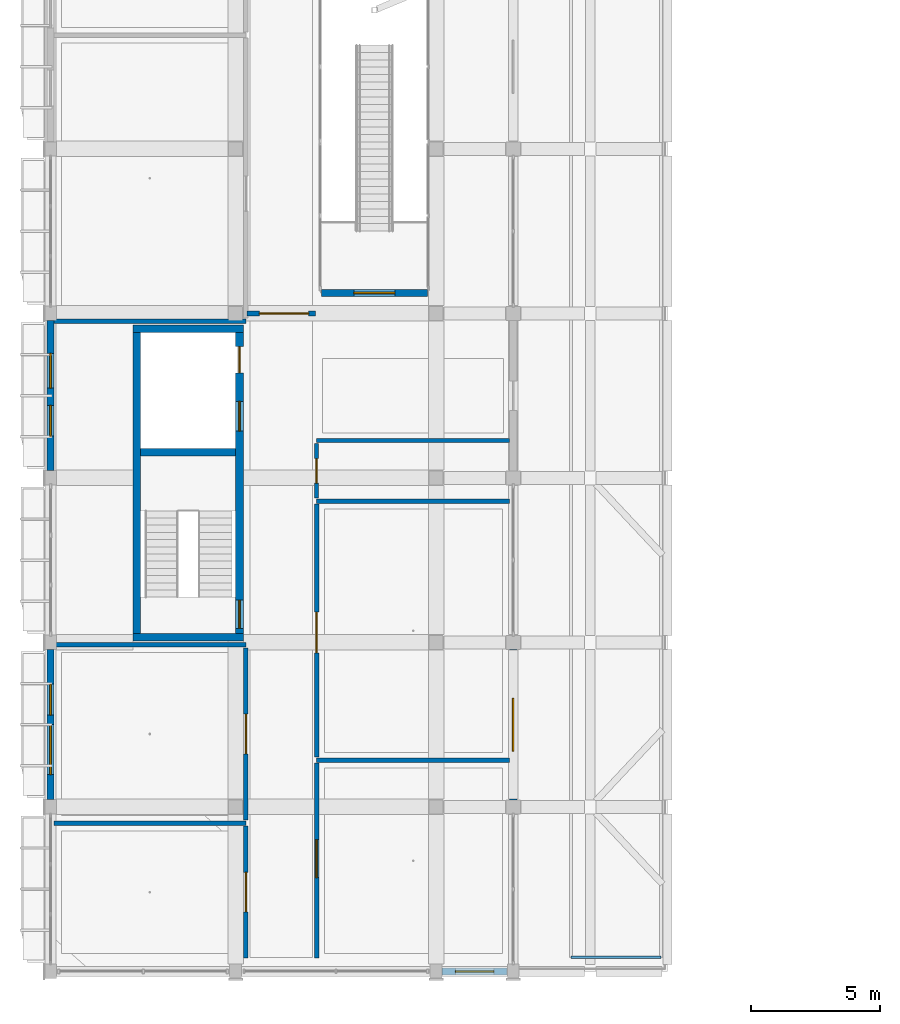
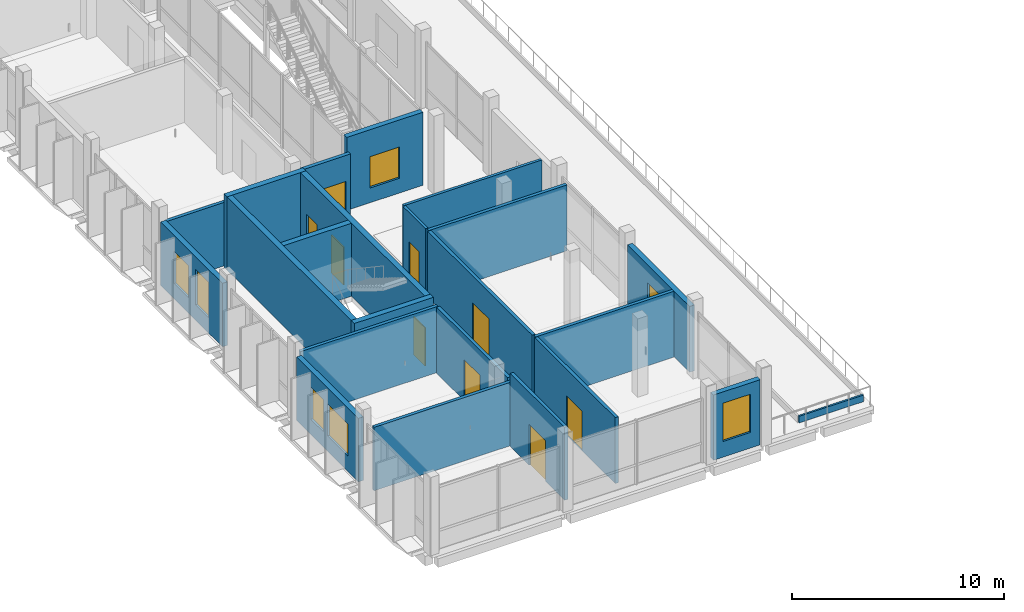
# One storey, part 56 of 95: 23 walls, 9 doors, 7 windows, 16 openings.
"""IFC4 building model written with IfcOpenShell, lengths in metres."""

from ifc_helpers import new_model, si_unit, derived_unit, direction, frame, frame_2d, origin, origin_with_axes, place, context, subcontext, project, spatial, rectangle, extrude, material, layer, layer_set, type_object, element, fill, save


model = new_model("IFC4")

# Units and contexts
model_context = context("Model", 3, precision=1e-05, world=origin(), true_north=direction((0.0, 1.0)))
body_context = subcontext(model_context, "Body", "Model", "MODEL_VIEW")
ifc_project = project(units=[si_unit("LENGTHUNIT", "METRE"), si_unit("AREAUNIT", "SQUARE_METRE"), si_unit("VOLUMEUNIT", "CUBIC_METRE"), si_unit("PLANEANGLEUNIT", "RADIAN"), si_unit("MASSUNIT", "GRAM", prefix="KILO"), derived_unit("THERMALTRANSMITTANCEUNIT", [(si_unit("POWERUNIT", "WATT"), 1), (si_unit("LENGTHUNIT", "METRE"), -2), (si_unit("THERMODYNAMICTEMPERATUREUNIT", "KELVIN"), -1)])], contexts=[model_context])

# Site, building, storey
site_placement = place(None, origin())
site = spatial("IfcSite", under=ifc_project, at=site_placement, CompositionType="ELEMENT")
building_placement = place(site_placement, origin())
building = spatial("IfcBuilding", under=site, at=building_placement, Name="Braskholm Square Health Centre", CompositionType="ELEMENT")
storey_placement = place(building_placement, frame((0.0, 0.0, 4.800048828125)))
storey = spatial("IfcBuildingStorey", under=building, at=storey_placement, Name="L02", CompositionType="ELEMENT", Elevation=4.800048828125)

# Wall, opening, door
ifc_material_1 = material(Name="Fire-rated gypsum board barrier")
ifc_layer_1 = layer(ifc_material_1, 0.175048828125)
ifc_layer_set_1 = layer_set([ifc_layer_1], Name="Fire-rated gypsum board barrier")
wall_type_1 = type_object("IfcWallType", Name="AmbulatoryFirePartition175", PredefinedType="PARTITIONING", material=ifc_layer_set_1)
wall_1_placement = place(storey_placement, frame((11.800048828125, 4.719970703125, 0.0), z_axis=(0.0, 0.0, 1.0), x_axis=(0.0, 1.0, 0.0)))
wall_1 = element("IfcWall", 1, at=wall_1_placement, inside=storey, type_object=wall_type_1, Name="Interior partition PWALL-L02-0073", PredefinedType="PARTITIONING", context=body_context, shape_type="SweptSolid", body=[
    extrude(rectangle(XDim=5.130126953125, YDim=0.175048828125, at=frame_2d((2.56494140625, 0.0))), origin(), (0.0, 0.0, 1.0), 4.195068359375),
])
opening_1_placement = place(wall_1_placement, frame((1.794921875, 0.0, 0.0)))
opening_1 = element("IfcOpeningElement", 2, at=opening_1_placement, cuts=wall_1, Name="Opening D-15", PredefinedType="OPENING", context=body_context, shape_type="SweptSolid", body=[
    extrude(rectangle(XDim=1.5400390625, YDim=2.35009765625, at=frame_2d((0.77001953125, 1.175048828125))), frame((0.0, 0.09765625, 0.0), z_axis=(0.0, -1.0, 0.0), x_axis=(1.0, 0.0, 0.0)), (0.0, 0.0, 1.0), 0.195068359375),
])
ifc_material_2 = material(Name="Architectural bronze anodised aluminium", Category="aluminium")
door_type_1 = type_object("IfcDoorType", Name="DoorOperatingRoomPair1540x2350", OperationType="DOUBLE_DOOR_SINGLE_SWING", PredefinedType="DOOR", material=ifc_material_2)
door_1_placement = place(opening_1_placement, origin_with_axes())
door_1 = element("IfcDoor", 3, at=door_1_placement, inside=storey, type_object=door_type_1, Name="Interior door 0033 L02", OperationType="DOUBLE_DOOR_SINGLE_SWING", OverallHeight=2.35009765625, OverallWidth=1.5400390625, PredefinedType="DOOR", context=body_context, shape_type="SweptSolid", body=[
    extrude(rectangle(XDim=1.5400390625, YDim=2.35009765625, at=frame_2d((0.77001953125, 1.175048828125))), frame((0.0, 0.02490234375, 0.0), z_axis=(0.0, -1.0, 0.0), x_axis=(1.0, 0.0, 0.0)), (0.0, 0.0, 1.0), 0.050048828125),
])
fill(opening_1, door_1)

# Wall
wall_2_placement = place(storey_placement, frame((4.340087890625, 9.969970703125, 0.0), z_axis=(0.0, 0.0, 1.0), x_axis=(1.0, 0.0, 0.0)))
element("IfcWall", 4, at=wall_2_placement, inside=storey, type_object=wall_type_1, Name="Interior partition PWALL-L02-0074", PredefinedType="PARTITIONING", context=body_context, shape_type="SweptSolid", body=[
    extrude(rectangle(XDim=7.4599609375, YDim=0.175048828125, at=frame_2d((3.72998046875, 0.0))), origin(), (0.0, 0.0, 1.0), 3.64501953125),
])

# Wall, opening, door
wall_3_placement = place(storey_placement, frame((11.800048828125, 10.090087890625, 0.0), z_axis=(0.0, 0.0, 1.0), x_axis=(0.0, 1.0, 0.0)))
wall_3 = element("IfcWall", 5, at=wall_3_placement, inside=storey, type_object=wall_type_1, Name="Interior partition PWALL-L02-0075", PredefinedType="PARTITIONING", context=body_context, shape_type="SweptSolid", body=[
    extrude(rectangle(XDim=6.68994140625, YDim=0.175048828125, at=frame_2d((3.344970703125, 0.0))), origin(), (0.0, 0.0, 1.0), 3.794921875),
])
opening_2_placement = place(wall_3_placement, frame((2.574951171875, 0.0, 0.0)))
opening_2 = element("IfcOpeningElement", 6, at=opening_2_placement, cuts=wall_3, Name="Opening D-15", PredefinedType="OPENING", context=body_context, shape_type="SweptSolid", body=[
    extrude(rectangle(XDim=1.5400390625, YDim=2.35009765625, at=frame_2d((0.77001953125, 1.175048828125))), frame((0.0, 0.09765625, 0.0), z_axis=(0.0, -1.0, 0.0), x_axis=(1.0, 0.0, 0.0)), (0.0, 0.0, 1.0), 0.195068359375),
])
door_2_placement = place(opening_2_placement, origin_with_axes())
door_2 = element("IfcDoor", 7, at=door_2_placement, inside=storey, type_object=door_type_1, Name="Interior door 0034 L02", OperationType="DOUBLE_DOOR_SINGLE_SWING", OverallHeight=2.35009765625, OverallWidth=1.5400390625, PredefinedType="DOOR", context=body_context, shape_type="SweptSolid", body=[
    extrude(rectangle(XDim=1.5400390625, YDim=2.35009765625, at=frame_2d((0.77001953125, 1.175048828125))), frame((0.0, 0.02490234375, 0.0), z_axis=(0.0, -1.0, 0.0), x_axis=(1.0, 0.0, 0.0)), (0.0, 0.0, 1.0), 0.050048828125),
])
fill(opening_2, door_2)

# Walls
wall_4_placement = place(storey_placement, frame((4.340087890625, 16.89990234375, 0.0), z_axis=(0.0, 0.0, 1.0), x_axis=(1.0, 0.0, 0.0)))
element("IfcWall", 8, at=wall_4_placement, inside=storey, type_object=wall_type_1, Name="Interior partition PWALL-L02-0076", PredefinedType="PARTITIONING", context=body_context, shape_type="SweptSolid", body=[
    extrude(rectangle(XDim=7.4599609375, YDim=0.175048828125, at=frame_2d((3.72998046875, 0.0))), origin(), (0.0, 0.0, 1.0), 3.794921875),
])
wall_5_placement = place(storey_placement, frame((4.340087890625, 29.5, 0.0), z_axis=(0.0, 0.0, 1.0), x_axis=(1.0, 0.0, 0.0)))
element("IfcWall", 9, at=wall_5_placement, inside=storey, type_object=wall_type_1, Name="Interior partition PWALL-L02-0079", PredefinedType="PARTITIONING", context=body_context, shape_type="SweptSolid", body=[
    extrude(rectangle(XDim=7.4599609375, YDim=0.175048828125, at=frame_2d((3.72998046875, 0.0))), origin(), (0.0, 0.0, 1.0), 3.64501953125),
])

# Wall, opening, door
wall_6_placement = place(storey_placement, frame((14.550048828125, 4.719970703125, 0.0), z_axis=(0.0, 0.0, 1.0), x_axis=(0.0, 1.0, 0.0)))
wall_6 = element("IfcWall", 10, at=wall_6_placement, inside=storey, type_object=wall_type_1, Name="Interior partition PWALL-L02-0094", PredefinedType="PARTITIONING", context=body_context, shape_type="SweptSolid", body=[
    extrude(rectangle(XDim=7.580078125, YDim=0.175048828125, at=frame_2d((3.7900390625, 0.0))), origin(), (0.0, 0.0, 1.0), 3.794921875),
])
opening_3_placement = place(wall_6_placement, frame((3.125, 0.0, 0.0)))
opening_3 = element("IfcOpeningElement", 11, at=opening_3_placement, cuts=wall_6, Name="Opening D-27", PredefinedType="OPENING", context=body_context, shape_type="SweptSolid", body=[
    extrude(rectangle(XDim=1.47998046875, YDim=2.280029296875, at=frame_2d((0.739990234375, 1.14013671875))), frame((0.0, 0.09765625, 0.0), z_axis=(0.0, -1.0, 0.0), x_axis=(1.0, 0.0, 0.0)), (0.0, 0.0, 1.0), 0.195068359375),
])
door_type_2 = type_object("IfcDoorType", Name="DoorProcedurePair1480x2280", OperationType="DOUBLE_DOOR_SINGLE_SWING", PredefinedType="DOOR", material=ifc_material_2)
door_3_placement = place(opening_3_placement, frame((1.47998046875, 0.0, 0.0), z_axis=(0.0, 0.0, 1.0), x_axis=(-1.0, 0.0, 0.0)))
door_3 = element("IfcDoor", 12, at=door_3_placement, inside=storey, type_object=door_type_2, Name="Interior door 0043 L02", OperationType="DOUBLE_DOOR_SINGLE_SWING", OverallHeight=2.280029296875, OverallWidth=1.47998046875, PredefinedType="DOOR", context=body_context, shape_type="SweptSolid", body=[
    extrude(rectangle(XDim=1.47998046875, YDim=2.280029296875, at=frame_2d((0.739990234375, 1.14013671875))), frame((0.0, 0.02490234375, 0.0), z_axis=(0.0, -1.0, 0.0), x_axis=(1.0, 0.0, 0.0)), (0.0, 0.0, 1.0), 0.050048828125),
])
fill(opening_3, door_3)

# Wall
wall_7_placement = place(storey_placement, frame((14.550048828125, 12.419921875, 0.0), z_axis=(0.0, 0.0, 1.0), x_axis=(1.0, 0.0, 0.0)))
element("IfcWall", 13, at=wall_7_placement, inside=storey, type_object=wall_type_1, Name="Interior partition PWALL-L02-0095", PredefinedType="PARTITIONING", context=body_context, shape_type="SweptSolid", body=[
    extrude(rectangle(XDim=7.510009765625, YDim=0.175048828125, at=frame_2d((3.7548828125, 0.0))), origin(), (0.0, 0.0, 1.0), 3.784912109375),
])

# Wall, opening, door
wall_8_placement = place(storey_placement, frame((14.550048828125, 12.5400390625, 0.0), z_axis=(0.0, 0.0, 1.0), x_axis=(0.0, 1.0, 0.0)))
wall_8 = element("IfcWall", 14, at=wall_8_placement, inside=storey, type_object=wall_type_1, Name="Interior partition PWALL-L02-0096", PredefinedType="PARTITIONING", context=body_context, shape_type="SweptSolid", body=[
    extrude(rectangle(XDim=9.83984375, YDim=0.175048828125, at=frame_2d((4.919921875, 0.0))), origin(), (0.0, 0.0, 1.0), 3.794921875),
])
opening_4_placement = place(wall_8_placement, frame((4.053955078125, 0.0, 0.0)))
opening_4 = element("IfcOpeningElement", 15, at=opening_4_placement, cuts=wall_8, Name="Opening D-30", PredefinedType="OPENING", context=body_context, shape_type="SweptSolid", body=[
    extrude(rectangle(XDim=1.580078125, YDim=2.260009765625, at=frame_2d((0.7900390625, 1.1298828125))), frame((0.0, 0.09765625, 0.0), z_axis=(0.0, -1.0, 0.0), x_axis=(1.0, 0.0, 0.0)), (0.0, 0.0, 1.0), 0.195068359375),
])
door_type_3 = type_object("IfcDoorType", Name="DoorSupplyPair1580x2260", OperationType="DOUBLE_DOOR_SINGLE_SWING", PredefinedType="DOOR", material=ifc_material_2)
door_4_placement = place(opening_4_placement, frame((1.580078125, 0.0, 0.0), z_axis=(0.0, 0.0, 1.0), x_axis=(-1.0, 0.0, 0.0)))
door_4 = element("IfcDoor", 16, at=door_4_placement, inside=storey, type_object=door_type_3, Name="Interior door 0044 L02", OperationType="DOUBLE_DOOR_SINGLE_SWING", OverallHeight=2.260009765625, OverallWidth=1.580078125, PredefinedType="DOOR", context=body_context, shape_type="SweptSolid", body=[
    extrude(rectangle(XDim=1.580078125, YDim=2.260009765625, at=frame_2d((0.7900390625, 1.1298828125))), frame((0.0, 0.02490234375, 0.0), z_axis=(0.0, -1.0, 0.0), x_axis=(1.0, 0.0, 0.0)), (0.0, 0.0, 1.0), 0.050048828125),
])
fill(opening_4, door_4)

# Wall
wall_9_placement = place(storey_placement, frame((14.550048828125, 22.5, 0.0), z_axis=(0.0, 0.0, 1.0), x_axis=(1.0, 0.0, 0.0)))
element("IfcWall", 17, at=wall_9_placement, inside=storey, type_object=wall_type_1, Name="Interior partition PWALL-L02-0097", PredefinedType="PARTITIONING", context=body_context, shape_type="SweptSolid", body=[
    extrude(rectangle(XDim=7.510009765625, YDim=0.175048828125, at=frame_2d((3.7548828125, 0.0))), origin(), (0.0, 0.0, 1.0), 3.784912109375),
])

# Wall, opening, door
ifc_material_3 = material(Name="Acoustic gypsum board partition")
ifc_layer_2 = layer(ifc_material_3, 0.14990234375)
ifc_layer_set_2 = layer_set([ifc_layer_2], Name="Acoustic gypsum board partition")
wall_type_2 = type_object("IfcWallType", Name="CorridorAcousticPartition150", PredefinedType="PARTITIONING", material=ifc_layer_set_2)
wall_10_placement = place(storey_placement, frame((14.550048828125, 22.6201171875, 0.0), z_axis=(0.0, 0.0, 1.0), x_axis=(0.0, 1.0, 0.0)))
wall_10 = element("IfcWall", 18, at=wall_10_placement, inside=storey, type_object=wall_type_2, Name="Interior partition PWALL-L02-0098", PredefinedType="PARTITIONING", context=body_context, shape_type="SweptSolid", body=[
    extrude(rectangle(XDim=2.10986328125, YDim=0.14990234375, at=frame_2d((1.054931640625, 0.0))), origin(), (0.0, 0.0, 1.0), 3.794921875),
])
opening_5_placement = place(wall_10_placement, frame((0.574951171875, 0.0, 0.0)))
opening_5 = element("IfcOpeningElement", 19, at=opening_5_placement, cuts=wall_10, Name="Opening D-05", PredefinedType="OPENING", context=body_context, shape_type="SweptSolid", body=[
    extrude(rectangle(XDim=0.9599609375, YDim=2.10009765625, at=frame_2d((0.47998046875, 1.050048828125))), frame((0.0, 0.0849609375, 0.0), z_axis=(0.0, -1.0, 0.0), x_axis=(1.0, 0.0, 0.0)), (0.0, 0.0, 1.0), 0.169921875),
])
door_type_4 = type_object("IfcDoorType", Name="DoorAccessibleWC960x2100", OperationType="NOTDEFINED", PredefinedType="DOOR", material=ifc_material_2)
door_5_placement = place(opening_5_placement, frame((0.9599609375, 0.0, 0.0), z_axis=(0.0, 0.0, 1.0), x_axis=(-1.0, 0.0, 0.0)))
door_5 = element("IfcDoor", 20, at=door_5_placement, inside=storey, type_object=door_type_4, Name="Interior door 0045 L02", OperationType="SINGLE_SWING_RIGHT", OverallHeight=2.10009765625, OverallWidth=0.9599609375, PredefinedType="DOOR", context=body_context, shape_type="SweptSolid", body=[
    extrude(rectangle(XDim=0.9599609375, YDim=2.10009765625, at=frame_2d((0.47998046875, 1.050048828125))), frame((0.0, 0.02490234375, 0.0), z_axis=(0.0, -1.0, 0.0), x_axis=(1.0, 0.0, 0.0)), (0.0, 0.0, 1.0), 0.050048828125),
])
fill(opening_5, door_5)

# Wall
wall_11_placement = place(storey_placement, frame((14.550048828125, 24.85009765625, 0.0), z_axis=(0.0, 0.0, 1.0), x_axis=(1.0, 0.0, 0.0)))
element("IfcWall", 21, at=wall_11_placement, inside=storey, type_object=wall_type_2, Name="Interior partition PWALL-L02-0099", PredefinedType="PARTITIONING", context=body_context, shape_type="SweptSolid", body=[
    extrude(rectangle(XDim=7.510009765625, YDim=0.14990234375, at=frame_2d((3.7548828125, 0.0))), origin(), (0.0, 0.0, 1.0), 3.784912109375),
])

# Wall, openings, windows
ifc_material_4 = material(Name="Precast concrete C40/50 architectural white", Category="concrete")
ifc_layer_3 = layer(ifc_material_4, 0.280029296875)
ifc_layer_set_3 = layer_set([ifc_layer_3], Name="Precast concrete C40/50 architectural white")
wall_type_3 = type_object("IfcWallType", Name="ExteriorPrecastSpandrelWall280", PredefinedType="SOLIDWALL", material=ifc_layer_set_3)
wall_12_placement = place(storey_placement, frame((4.199951171875, 16.718017578125, 0.0), z_axis=(0.0, 0.0, 1.0), x_axis=(0.0, -1.0, 0.0)))
wall_12 = element("IfcWall", 22, at=wall_12_placement, inside=storey, type_object=wall_type_3, Name="Exterior wall EWALL-L02-0012", PredefinedType="SOLIDWALL", context=body_context, shape_type="SweptSolid", body=[
    extrude(rectangle(XDim=5.8359375, YDim=0.280029296875, at=frame_2d((2.91796875, 0.0))), origin(), (0.0, 0.0, 1.0), 3.64990234375),
])
opening_6_placement = place(wall_12_placement, frame((1.344970703125, 0.0, 0.8798828125)))
opening_6 = element("IfcOpeningElement", 23, at=opening_6_placement, cuts=wall_12, Name="Opening WN-07", PredefinedType="OPENING", context=body_context, shape_type="SweptSolid", body=[
    extrude(rectangle(XDim=1.199951171875, YDim=1.85009765625, at=frame_2d((0.60009765625, 0.925048828125))), frame((0.0, 0.14990234375, 0.0), z_axis=(0.0, -1.0, 0.0), x_axis=(1.0, 0.0, 0.0)), (0.0, 0.0, 1.0), 0.300048828125),
])
opening_7_placement = place(wall_12_placement, frame((2.916015625, 0.0, 0.8798828125)))
opening_7 = element("IfcOpeningElement", 24, at=opening_7_placement, cuts=wall_12, Name="Opening WN-12", PredefinedType="OPENING", context=body_context, shape_type="SweptSolid", body=[
    extrude(rectangle(XDim=1.949951171875, YDim=1.85009765625, at=frame_2d((0.97509765625, 0.925048828125))), frame((0.0, 0.14990234375, 0.0), z_axis=(0.0, -1.0, 0.0), x_axis=(1.0, 0.0, 0.0)), (0.0, 0.0, 1.0), 0.300048828125),
])
ifc_material_5 = material(Name="Low-E triple insulating glass (VLT 0.64)", Category="glass")
window_type_1 = type_object("IfcWindowType", Name="WinClinicalBay1200x1850", PartitioningType="SINGLE_PANEL", PredefinedType="WINDOW", material=ifc_material_5)
window_1_placement = place(opening_6_placement, origin_with_axes())
window_1 = element("IfcWindow", 25, at=window_1_placement, inside=storey, type_object=window_type_1, Name="Exterior window 0020 L02", OverallHeight=1.85009765625, OverallWidth=1.199951171875, PartitioningType="SINGLE_PANEL", PredefinedType="WINDOW", context=body_context, shape_type="SweptSolid", body=[
    extrude(rectangle(XDim=1.199951171875, YDim=1.85009765625, at=frame_2d((0.60009765625, 0.925048828125))), frame((0.0, 0.030029296875, 0.0), z_axis=(0.0, -1.0, 0.0), x_axis=(1.0, 0.0, 0.0)), (0.0, 0.0, 1.0), 0.06005859375),
])
fill(opening_6, window_1)
window_type_2 = type_object("IfcWindowType", Name="WinClinicalBay1950x1850", PartitioningType="SINGLE_PANEL", PredefinedType="WINDOW", material=ifc_material_5)
window_2_placement = place(opening_7_placement, origin_with_axes())
window_2 = element("IfcWindow", 26, at=window_2_placement, inside=storey, type_object=window_type_2, Name="Exterior window 0021 L02", OverallHeight=1.85009765625, OverallWidth=1.949951171875, PartitioningType="SINGLE_PANEL", PredefinedType="WINDOW", context=body_context, shape_type="SweptSolid", body=[
    extrude(rectangle(XDim=1.949951171875, YDim=1.85009765625, at=frame_2d((0.97509765625, 0.925048828125))), frame((0.0, 0.030029296875, 0.0), z_axis=(0.0, -1.0, 0.0), x_axis=(1.0, 0.0, 0.0)), (0.0, 0.0, 1.0), 0.06005859375),
])
fill(opening_7, window_2)

wall_13_placement = place(storey_placement, frame((4.199951171875, 29.51806640625, 0.0), z_axis=(0.0, 0.0, 1.0), x_axis=(0.0, -1.0, 0.0)))
wall_13 = element("IfcWall", 27, at=wall_13_placement, inside=storey, type_object=wall_type_3, Name="Exterior wall EWALL-L02-0013", PredefinedType="SOLIDWALL", context=body_context, shape_type="SweptSolid", body=[
    extrude(rectangle(XDim=5.836181640625, YDim=0.280029296875, at=frame_2d((2.91796875, 0.0))), origin(), (0.0, 0.0, 1.0), 3.64990234375),
])
opening_8_placement = place(wall_13_placement, frame((1.27001953125, 0.0, 0.8798828125)))
opening_8 = element("IfcOpeningElement", 28, at=opening_8_placement, cuts=wall_13, Name="Opening WN-08", PredefinedType="OPENING", context=body_context, shape_type="SweptSolid", body=[
    extrude(rectangle(XDim=1.35009765625, YDim=1.85009765625, at=frame_2d((0.675048828125, 0.925048828125))), frame((0.0, 0.14990234375, 0.0), z_axis=(0.0, -1.0, 0.0), x_axis=(1.0, 0.0, 0.0)), (0.0, 0.0, 1.0), 0.300048828125),
])
opening_9_placement = place(wall_13_placement, frame((3.291015625, 0.0, 0.8798828125)))
opening_9 = element("IfcOpeningElement", 29, at=opening_9_placement, cuts=wall_13, Name="Opening WN-13", PredefinedType="OPENING", context=body_context, shape_type="SweptSolid", body=[
    extrude(rectangle(XDim=1.199951171875, YDim=2.050048828125, at=frame_2d((0.60009765625, 1.02490234375))), frame((0.0, 0.14990234375, 0.0), z_axis=(0.0, -1.0, 0.0), x_axis=(1.0, 0.0, 0.0)), (0.0, 0.0, 1.0), 0.300048828125),
])
window_type_3 = type_object("IfcWindowType", Name="WinClinicalBay1350x1850", PartitioningType="SINGLE_PANEL", PredefinedType="WINDOW", material=ifc_material_5)
window_3_placement = place(opening_8_placement, origin_with_axes())
window_3 = element("IfcWindow", 30, at=window_3_placement, inside=storey, type_object=window_type_3, Name="Exterior window 0022 L02", OverallHeight=1.85009765625, OverallWidth=1.35009765625, PartitioningType="SINGLE_PANEL", PredefinedType="WINDOW", context=body_context, shape_type="SweptSolid", body=[
    extrude(rectangle(XDim=1.35009765625, YDim=1.85009765625, at=frame_2d((0.675048828125, 0.925048828125))), frame((0.0, 0.030029296875, 0.0), z_axis=(0.0, -1.0, 0.0), x_axis=(1.0, 0.0, 0.0)), (0.0, 0.0, 1.0), 0.06005859375),
])
fill(opening_8, window_3)
window_type_4 = type_object("IfcWindowType", Name="WinClinicalTall1200x2050", PartitioningType="SINGLE_PANEL", PredefinedType="WINDOW", material=ifc_material_5)
window_4_placement = place(opening_9_placement, origin_with_axes())
window_4 = element("IfcWindow", 31, at=window_4_placement, inside=storey, type_object=window_type_4, Name="Exterior window 0023 L02", OverallHeight=2.050048828125, OverallWidth=1.199951171875, PartitioningType="SINGLE_PANEL", PredefinedType="WINDOW", context=body_context, shape_type="SweptSolid", body=[
    extrude(rectangle(XDim=1.199951171875, YDim=2.050048828125, at=frame_2d((0.60009765625, 1.02490234375))), frame((0.0, 0.030029296875, 0.0), z_axis=(0.0, -1.0, 0.0), x_axis=(1.0, 0.0, 0.0)), (0.0, 0.0, 1.0), 0.06005859375),
])
fill(opening_9, window_4)

# Wall, opening, window
wall_14_placement = place(storey_placement, frame((22.199951171875, 10.876953125, 0.0), z_axis=(0.0, 0.0, 1.0), x_axis=(0.0, 1.0, 0.0)))
wall_14 = element("IfcWall", 32, at=wall_14_placement, inside=storey, type_object=wall_type_3, Name="Exterior wall EWALL-L02-0109", PredefinedType="SOLIDWALL", context=body_context, shape_type="SweptSolid", body=[
    extrude(rectangle(XDim=5.845947265625, YDim=0.280029296875, at=frame_2d((2.9228515625, 0.0))), origin(), (0.0, 0.0, 1.0), 3.7900390625),
])
opening_10_placement = place(wall_14_placement, frame((1.89794921875, 0.0, 0.800048828125)))
opening_10 = element("IfcOpeningElement", 33, at=opening_10_placement, cuts=wall_14, Name="Opening WN-25", PredefinedType="OPENING", context=body_context, shape_type="SweptSolid", body=[
    extrude(rectangle(XDim=2.050048828125, YDim=1.949951171875, at=frame_2d((1.02490234375, 0.97509765625))), frame((0.0, 0.14990234375, 0.0), z_axis=(0.0, -1.0, 0.0), x_axis=(1.0, 0.0, 0.0)), (0.0, 0.0, 1.0), 0.300048828125),
])
window_type_5 = type_object("IfcWindowType", Name="WinValleyTerrace2050x1950", PartitioningType="SINGLE_PANEL", PredefinedType="WINDOW", material=ifc_material_5)
window_5_placement = place(opening_10_placement, origin_with_axes())
window_5 = element("IfcWindow", 34, at=window_5_placement, inside=storey, type_object=window_type_5, Name="Exterior window 0180 L02", OverallHeight=1.949951171875, OverallWidth=2.050048828125, PartitioningType="SINGLE_PANEL", PredefinedType="WINDOW", context=body_context, shape_type="SweptSolid", body=[
    extrude(rectangle(XDim=2.050048828125, YDim=1.949951171875, at=frame_2d((1.02490234375, 0.97509765625))), frame((0.0, 0.030029296875, 0.0), z_axis=(0.0, -1.0, 0.0), x_axis=(1.0, 0.0, 0.0)), (0.0, 0.0, 1.0), 0.06005859375),
])
fill(opening_10, window_5)

wall_15_placement = place(storey_placement, frame((19.431884765625, 4.199951171875, 0.0), z_axis=(0.0, 0.0, 1.0), x_axis=(1.0, 0.0, 0.0)))
wall_15 = element("IfcWall", 35, at=wall_15_placement, inside=storey, type_object=wall_type_3, Name="Exterior wall EWALL-L02-0228", PredefinedType="SOLIDWALL", context=body_context, shape_type="SweptSolid", body=[
    extrude(rectangle(XDim=2.5361328125, YDim=0.280029296875, at=frame_2d((1.26806640625, 0.0))), origin(), (0.0, 0.0, 1.0), 3.75),
])
opening_11_placement = place(wall_15_placement, frame((0.51806640625, 0.0, 0.89990234375)))
opening_11 = element("IfcOpeningElement", 36, at=opening_11_placement, cuts=wall_15, Name="Opening WN-03", PredefinedType="OPENING", context=body_context, shape_type="SweptSolid", body=[
    extrude(rectangle(XDim=1.5, YDim=2.199951171875, at=frame_2d((0.75, 1.10009765625))), frame((0.0, 0.14990234375, 0.0), z_axis=(0.0, -1.0, 0.0), x_axis=(1.0, 0.0, 0.0)), (0.0, 0.0, 1.0), 0.300048828125),
])
window_type_6 = type_object("IfcWindowType", Name="WinArtDecoTwin1500x2200", PartitioningType="SINGLE_PANEL", PredefinedType="WINDOW", material=ifc_material_5)
window_6_placement = place(opening_11_placement, origin_with_axes())
window_6 = element("IfcWindow", 37, at=window_6_placement, inside=storey, type_object=window_type_6, Name="Exterior window 0282 L02", OverallHeight=2.199951171875, OverallWidth=1.5, PartitioningType="SINGLE_PANEL", PredefinedType="WINDOW", context=body_context, shape_type="SweptSolid", body=[
    extrude(rectangle(XDim=1.5, YDim=2.199951171875, at=frame_2d((0.75, 1.10009765625))), frame((0.0, 0.030029296875, 0.0), z_axis=(0.0, -1.0, 0.0), x_axis=(1.0, 0.0, 0.0)), (0.0, 0.0, 1.0), 0.06005859375),
])
fill(opening_11, window_6)

wall_16_placement = place(storey_placement, frame((18.865966796875, 30.60009765625, 0.0), z_axis=(0.0, 0.0, 1.0), x_axis=(-1.0, 0.0, 0.0)))
wall_16 = element("IfcWall", 38, at=wall_16_placement, inside=storey, type_object=wall_type_3, Name="Exterior wall EWALL-L02-0285", PredefinedType="SOLIDWALL", context=body_context, shape_type="SweptSolid", body=[
    extrude(rectangle(XDim=4.132080078125, YDim=0.280029296875, at=frame_2d((2.06591796875, 0.0))), origin(), (0.0, 0.0, 1.0), 4.199951171875),
])
opening_12_placement = place(wall_16_placement, frame((1.26611328125, 0.0, 0.85009765625)))
opening_12 = element("IfcOpeningElement", 39, at=opening_12_placement, cuts=wall_16, Name="Opening WN-27", PredefinedType="OPENING", context=body_context, shape_type="SweptSolid", body=[
    extrude(rectangle(XDim=1.60009765625, YDim=1.800048828125, at=frame_2d((0.800048828125, 0.89990234375))), frame((0.0, 0.14990234375, 0.0), z_axis=(0.0, -1.0, 0.0), x_axis=(1.0, 0.0, 0.0)), (0.0, 0.0, 1.0), 0.300048828125),
])
window_type_7 = type_object("IfcWindowType", Name="WinLightCourt1600x1800", PartitioningType="SINGLE_PANEL", PredefinedType="WINDOW", material=ifc_material_5)
window_7_placement = place(opening_12_placement, origin_with_axes())
window_7 = element("IfcWindow", 40, at=window_7_placement, inside=storey, type_object=window_type_7, Name="Exterior window 0331 L02", OverallHeight=1.800048828125, OverallWidth=1.60009765625, PartitioningType="SINGLE_PANEL", PredefinedType="WINDOW", context=body_context, shape_type="SweptSolid", body=[
    extrude(rectangle(XDim=1.60009765625, YDim=1.800048828125, at=frame_2d((0.800048828125, 0.89990234375))), frame((0.0, 0.030029296875, 0.0), z_axis=(0.0, -1.0, 0.0), x_axis=(1.0, 0.0, 0.0)), (0.0, 0.0, 1.0), 0.06005859375),
])
fill(opening_12, window_7)

# Walls
ifc_material_6 = material(Name="Concrete C40/50 (f'c = 40 MPa)", Category="concrete")
ifc_layer_4 = layer(ifc_material_6, 0.300048828125)
ifc_layer_set_4 = layer_set([ifc_layer_4], Name="Concrete C40/50 (f'c = 40 MPa)")
wall_type_4 = type_object("IfcWallType", Name="ShearCoreWall300", PredefinedType="SHEAR", material=ifc_layer_set_4)
for number, where, z_axis, x_axis, name in (
    (41, (7.39990234375, 17.199951171875, 0.0), (0.0, 0.0, 1.0), (1.0, 0.0, 0.0), "CWALL-K1-L02 south wall"),
    (42, (11.699951171875, 29.199951171875, 0.0), (0.0, 0.0, 1.0), (-1.0, 0.0, 0.0), "CWALL-K1-L02 north wall"),
):
    element("IfcWall", number, at=place(storey_placement, frame(where, z_axis=z_axis, x_axis=x_axis)), inside=storey, type_object=wall_type_4, Name=name, PredefinedType="SHEAR", context=body_context, shape_type="SweptSolid", body=[
        extrude(rectangle(XDim=4.300048828125, YDim=0.300048828125, at=frame_2d((2.14990234375, 0.0))), origin(), (0.0, 0.0, 1.0), 4.199951171875),
    ])
wall_17_placement = place(storey_placement, frame((7.550048828125, 29.050048828125, 0.0), z_axis=(0.0, 0.0, 1.0), x_axis=(0.0, -1.0, 0.0)))
element("IfcWall", 43, at=wall_17_placement, inside=storey, type_object=wall_type_4, Name="CWALL-K1-L02 west wall", PredefinedType="SHEAR", context=body_context, shape_type="SweptSolid", body=[
    extrude(rectangle(XDim=11.699951171875, YDim=0.300048828125, at=frame_2d((5.85009765625, 0.0))), origin(), (0.0, 0.0, 1.0), 4.199951171875),
])

# Wall, openings, doors
wall_18_placement = place(storey_placement, frame((11.550048828125, 17.35009765625, 0.0), z_axis=(0.0, 0.0, 1.0), x_axis=(0.0, 1.0, 0.0)))
wall_18 = element("IfcWall", 44, at=wall_18_placement, inside=storey, type_object=wall_type_4, Name="CWALL-K1-L02 east wall", PredefinedType="SHEAR", context=body_context, shape_type="SweptSolid", body=[
    extrude(rectangle(XDim=11.699951171875, YDim=0.300048828125, at=frame_2d((5.85009765625, 0.0))), origin(), (0.0, 0.0, 1.0), 4.199951171875),
])
opening_13_placement = place(wall_18_placement, frame((0.199951171875, 0.0, 0.0)))
opening_13 = element("IfcOpeningElement", 45, at=opening_13_placement, cuts=wall_18, Name="Opening D-22", PredefinedType="OPENING", context=body_context, shape_type="SweptSolid", body=[
    extrude(rectangle(XDim=1.10009765625, YDim=2.199951171875, at=frame_2d((0.550048828125, 1.10009765625))), frame((0.0, 0.16015625, 0.0), z_axis=(0.0, -1.0, 0.0), x_axis=(1.0, 0.0, 0.0)), (0.0, 0.0, 1.0), 0.320068359375),
])
opening_14_placement = place(wall_18_placement, frame((7.875, 0.0, 0.0)))
opening_14 = element("IfcOpeningElement", 46, at=opening_14_placement, cuts=wall_18, Name="Opening LD-1", PredefinedType="OPENING", context=body_context, shape_type="SweptSolid", body=[
    extrude(rectangle(XDim=1.14990234375, YDim=2.199951171875, at=frame_2d((0.574951171875, 1.10009765625))), frame((0.0, 0.16015625, 0.0), z_axis=(0.0, -1.0, 0.0), x_axis=(1.0, 0.0, 0.0)), (0.0, 0.0, 1.0), 0.320068359375),
])
opening_15_placement = place(wall_18_placement, frame((10.139892578125, 0.0, 0.0)))
opening_15 = element("IfcOpeningElement", 47, at=opening_15_placement, cuts=wall_18, Name="Opening LD-2", PredefinedType="OPENING", context=body_context, shape_type="SweptSolid", body=[
    extrude(rectangle(XDim=1.02001953125, YDim=2.14990234375, at=frame_2d((0.510009765625, 1.074951171875))), frame((0.0, 0.16015625, 0.0), z_axis=(0.0, -1.0, 0.0), x_axis=(1.0, 0.0, 0.0)), (0.0, 0.0, 1.0), 0.320068359375),
])
door_type_5 = type_object("IfcDoorType", Name="DoorLiftLandingPassenger1020x2150", OperationType="SLIDING_TO_LEFT", PredefinedType="DOOR", material=ifc_material_2)
door_6_placement = place(opening_15_placement, origin_with_axes())
door_6 = element("IfcDoor", 48, at=door_6_placement, inside=storey, type_object=door_type_5, Name="Elevator EL-03 sliding landing door L02", OperationType="SLIDING_TO_LEFT", OverallHeight=2.14990234375, OverallWidth=1.02001953125, PredefinedType="DOOR", context=body_context, shape_type="SweptSolid", body=[
    extrude(rectangle(XDim=1.02001953125, YDim=2.14990234375, at=frame_2d((0.510009765625, 1.074951171875))), frame((0.0, 0.02490234375, 0.0), z_axis=(0.0, -1.0, 0.0), x_axis=(1.0, 0.0, 0.0)), (0.0, 0.0, 1.0), 0.050048828125),
])
fill(opening_15, door_6)
door_type_6 = type_object("IfcDoorType", Name="DoorLiftLandingStretcher1150x2200", OperationType="SLIDING_TO_LEFT", PredefinedType="DOOR", material=ifc_material_2)
door_7_placement = place(opening_14_placement, origin_with_axes())
door_7 = element("IfcDoor", 49, at=door_7_placement, inside=storey, type_object=door_type_6, Name="Elevator EL-01 sliding landing door L02", OperationType="SLIDING_TO_LEFT", OverallHeight=2.199951171875, OverallWidth=1.14990234375, PredefinedType="DOOR", context=body_context, shape_type="SweptSolid", body=[
    extrude(rectangle(XDim=1.14990234375, YDim=2.199951171875, at=frame_2d((0.574951171875, 1.10009765625))), frame((0.0, 0.02490234375, 0.0), z_axis=(0.0, -1.0, 0.0), x_axis=(1.0, 0.0, 0.0)), (0.0, 0.0, 1.0), 0.050048828125),
])
fill(opening_14, door_7)
door_type_7 = type_object("IfcDoorType", Name="DoorStairEnclosure1100x2200", OperationType="NOTDEFINED", PredefinedType="DOOR", material=ifc_material_2)
door_8_placement = place(opening_13_placement, origin_with_axes())
door_8 = element("IfcDoor", 50, at=door_8_placement, inside=storey, type_object=door_type_7, Name="Stair ST-01 door L02", OperationType="SINGLE_SWING_RIGHT", OverallHeight=2.199951171875, OverallWidth=1.10009765625, PredefinedType="DOOR", context=body_context, shape_type="SweptSolid", body=[
    extrude(rectangle(XDim=1.10009765625, YDim=2.199951171875, at=frame_2d((0.550048828125, 1.10009765625))), frame((0.0, 0.02490234375, 0.0), z_axis=(0.0, -1.0, 0.0), x_axis=(1.0, 0.0, 0.0)), (0.0, 0.0, 1.0), 0.050048828125),
])
fill(opening_13, door_8)

# Wall
wall_19_placement = place(storey_placement, frame((7.699951171875, 24.39990234375, 0.0), z_axis=(0.0, 0.0, 1.0), x_axis=(1.0, 0.0, 0.0)))
element("IfcWall", 51, at=wall_19_placement, inside=storey, type_object=wall_type_4, Name="Core K1 internal shear divider L02", PredefinedType="SHEAR", context=body_context, shape_type="SweptSolid", body=[
    extrude(rectangle(XDim=3.699951171875, YDim=0.300048828125, at=frame_2d((1.85009765625, 0.0))), origin(), (0.0, 0.0, 1.0), 4.199951171875),
])

# Wall, opening, door
ifc_layer_5 = layer(ifc_material_1, 0.199951171875)
ifc_layer_set_5 = layer_set([ifc_layer_5], Name="Fire-rated gypsum board barrier")
wall_type_5 = type_object("IfcWallType", Name="SmokeBarrierPartition200", PredefinedType="PARTITIONING", material=ifc_layer_set_5)
wall_20_placement = place(storey_placement, frame((11.85009765625, 29.800048828125, 0.0), z_axis=(0.0, 0.0, 1.0), x_axis=(1.0, 0.0, 0.0)))
wall_20 = element("IfcWall", 52, at=wall_20_placement, inside=storey, type_object=wall_type_5, Name="Interior partition PWALL-L02-0072", PredefinedType="PARTITIONING", context=body_context, shape_type="SweptSolid", body=[
    extrude(rectangle(XDim=2.64990234375, YDim=0.199951171875, at=frame_2d((1.324951171875, 0.0))), origin(), (0.0, 0.0, 1.0), 3.794921875),
])
opening_16_placement = place(wall_20_placement, frame((0.469970703125, 0.0, 0.0)))
opening_16 = element("IfcOpeningElement", 53, at=opening_16_placement, cuts=wall_20, Name="Opening D-17", PredefinedType="OPENING", context=body_context, shape_type="SweptSolid", body=[
    extrude(rectangle(XDim=1.919921875, YDim=2.300048828125, at=frame_2d((0.9599609375, 1.14990234375))), frame((0.0, 0.10986328125, 0.0), z_axis=(0.0, -1.0, 0.0), x_axis=(1.0, 0.0, 0.0)), (0.0, 0.0, 1.0), 0.219970703125),
])
door_type_8 = type_object("IfcDoorType", Name="DoorSmokeBarrierPair1920x2300", OperationType="DOUBLE_DOOR_DOUBLE_SWING", PredefinedType="DOOR", material=ifc_material_2)
door_9_placement = place(opening_16_placement, origin_with_axes())
door_9 = element("IfcDoor", 54, at=door_9_placement, inside=storey, type_object=door_type_8, Name="Interior door 0032 L02", OperationType="DOUBLE_DOOR_DOUBLE_SWING", OverallHeight=2.300048828125, OverallWidth=1.919921875, PredefinedType="DOOR", context=body_context, shape_type="SweptSolid", body=[
    extrude(rectangle(XDim=1.919921875, YDim=2.300048828125, at=frame_2d((0.9599609375, 1.14990234375))), frame((0.0, 0.02490234375, 0.0), z_axis=(0.0, -1.0, 0.0), x_axis=(1.0, 0.0, 0.0)), (0.0, 0.0, 1.0), 0.050048828125),
])
fill(opening_16, door_9)

# Wall
ifc_layer_6 = layer(ifc_material_4, 0.10009765625)
ifc_layer_set_6 = layer_set([ifc_layer_6], Name="Precast concrete C40/50 architectural white")
wall_type_6 = type_object("IfcWallType", Name="SteppedPrecastParapet100", PredefinedType="PARAPET", material=ifc_layer_set_6)
wall_21_placement = place(storey_placement, frame((24.449951171875, 4.75, 0.0), z_axis=(0.0, 0.0, 1.0), x_axis=(1.0, 0.0, 0.0)))
element("IfcWall", 55, at=wall_21_placement, inside=storey, type_object=wall_type_6, Name="Stepped precast planter parapet 001", PredefinedType="PARAPET", context=body_context, shape_type="SweptSolid", body=[
    extrude(rectangle(XDim=3.5, YDim=0.10009765625, at=frame_2d((1.75, 0.0))), origin(), (0.0, 0.0, 1.0), 0.3798828125),
])

save(model, "model.ifc")
